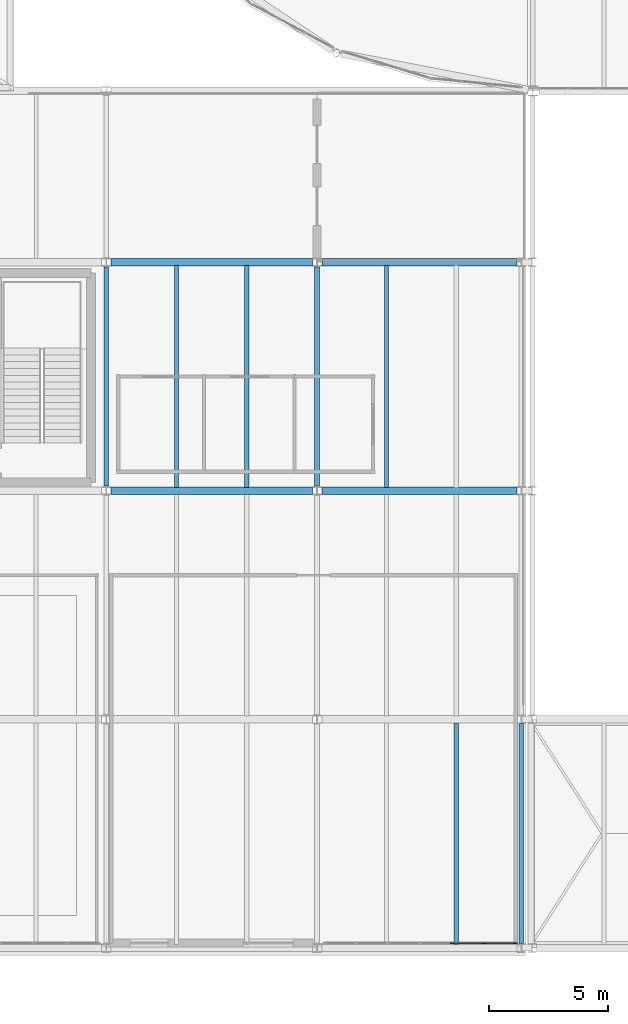
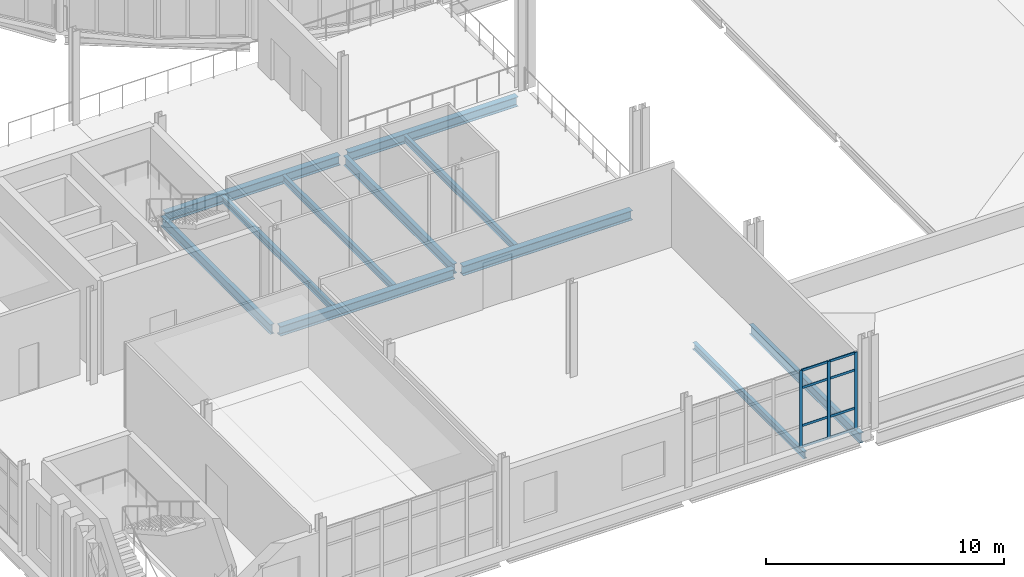
# One storey, part 22 of 112: 11 beams, 11 members, 1 element without a shape of its own.
"""IFC4 building model written with IfcOpenShell, lengths in metres."""

from ifc_helpers import new_model, si_unit, direction, frame, origin, origin_2d, place, context, subcontext, project, spatial, rectangle, i_section, extrude, material, layer, layer_set, material_profile, profile_set, type_object, element, aggregate, save


model = new_model("IFC4")

# Units and contexts
model_context = context("Model", 3, precision=1e-05, world=origin(), true_north=direction((0.0, 1.0)))
body_context = subcontext(model_context, "Body", "Model", "MODEL_VIEW")
ifc_project = project(units=[si_unit("LENGTHUNIT", "METRE"), si_unit("AREAUNIT", "SQUARE_METRE"), si_unit("VOLUMEUNIT", "CUBIC_METRE"), si_unit("PLANEANGLEUNIT", "RADIAN"), si_unit("MASSUNIT", "GRAM", prefix="KILO")], contexts=[model_context])

# Site, building, storey
site_placement = place(None, origin())
site = spatial("IfcSite", under=ifc_project, at=site_placement, CompositionType="ELEMENT")
building_placement = place(site_placement, origin())
building = spatial("IfcBuilding", under=site, at=building_placement, Name="Yeouljin Market Hall", CompositionType="ELEMENT")
storey_placement = place(building_placement, frame((0.0, 0.0, 6.0)))
storey = spatial("IfcBuildingStorey", under=building, at=storey_placement, Name="L01", CompositionType="ELEMENT", Elevation=6.0)

# Beams
ifc_material_1 = material(Name="Steel SM355", Category="steel")
ifc_material_profile_1 = material_profile(ifc_material_1, i_section(OverallWidth=0.199951171875, OverallDepth=0.5, WebThickness=0.010009765625, FlangeThickness=0.01611328125, FilletRadius=0.02001953125, at=origin_2d()), Name="H-500x200x10x16")
ifc_profile_set_1 = profile_set([ifc_material_profile_1], Name="Steel SM355")
beam_type_1 = type_object("IfcBeamType", Name="Beam_H-500x200x10x16", PredefinedType="BEAM", material=ifc_profile_set_1)
for number, where, z_axis, x_axis, name in (
    (1, (17.699951171875, 19.39990234375, -0.514892578125), (0.0, 1.0, 0.0), (-1.0, 0.0, 0.0), "Primary beam BM-L01-Y138"),
    (2, (26.550048828125, 19.39990234375, -0.514892578125), (0.0, 1.0, 0.0), (-1.0, 0.0, 0.0), "Primary beam BM-L01-Y143"),
):
    element("IfcBeam", number, at=place(storey_placement, frame(where, z_axis=z_axis, x_axis=x_axis)), inside=storey, type_object=beam_type_1, Name=name, PredefinedType="BEAM", context=body_context, shape_type="SweptSolid", body=[
        extrude(i_section(OverallWidth=0.199951171875, OverallDepth=0.5, WebThickness=0.010009765625, FlangeThickness=0.01611328125, FilletRadius=0.02001953125, at=origin_2d()), origin(), (0.0, 0.0, 1.0), 9.2001953125),
    ])
beam_1_placement = place(storey_placement, frame((35.1298828125, 0.175048828125, -0.530029296875), z_axis=(0.0, 1.0, 0.0), x_axis=(-1.0, 0.0, 0.0)))
element("IfcBeam", 3, at=beam_1_placement, inside=storey, type_object=beam_type_1, Name="Primary beam BM-L01-Y144", PredefinedType="BEAM", context=body_context, shape_type="SweptSolid", body=[
    extrude(i_section(OverallWidth=0.199951171875, OverallDepth=0.5, WebThickness=0.010009765625, FlangeThickness=0.01611328125, FilletRadius=0.02001953125, at=origin_2d()), origin(), (0.0, 0.0, 1.0), 9.25),
])

# Curtain wall, members
ifc_material_2 = material(Name="Thermally Broken Aluminium", Category="aluminium")
ifc_layer = layer(ifc_material_2, 0.14990234375)
ifc_layer_set = layer_set([ifc_layer], Name="Thermally Broken Aluminium")
curtain_wall_type = type_object("IfcCurtainWallType", Name="CW_AcademyRibbon_System", PredefinedType="USERDEFINED", material=ifc_layer_set)
curtain_wall_placement = place(storey_placement, origin())
curtain_wall = element("IfcCurtainWall", 4, at=curtain_wall_placement, inside=storey, type_object=curtain_wall_type, Name="Curtain wall CW-L01-W01", ObjectType="CURTAIN WALL", PredefinedType="USERDEFINED")
ifc_material_3 = material(Name="Thermally Broken Aluminium", Category="aluminium")
ifc_material_profile_2 = material_profile(ifc_material_3, rectangle(XDim=0.048095703125, YDim=0.14990234375, at=origin_2d()), Name="CW-MULL-48x150")
ifc_profile_set_2 = profile_set([ifc_material_profile_2], Name="Thermally Broken Aluminium")
member_type_1 = type_object("IfcMemberType", Name="CWMullion_48x150", PredefinedType="MULLION", material=ifc_profile_set_2)
member_1_placement = place(storey_placement, frame((34.8759765625, 0.199951171875, 0.0), z_axis=(0.0, 0.0, 1.0), x_axis=(0.0, -1.0, 0.0)))
member_1 = element("IfcMember", 5, at=member_1_placement, type_object=member_type_1, Name="CW-05 mullion 1", PredefinedType="MULLION", context=body_context, shape_type="SweptSolid", body=[
    extrude(rectangle(XDim=0.048095703125, YDim=0.14990234375, at=origin_2d()), origin(), (0.0, 0.0, 1.0), 3.949951171875),
])
member_2_placement = place(storey_placement, frame((33.558349609375, 0.199951171875, 0.0), z_axis=(0.0, 0.0, 1.0), x_axis=(0.0, -1.0, 0.0)))
member_2 = element("IfcMember", 6, at=member_2_placement, type_object=member_type_1, Name="CW-05 mullion 2", PredefinedType="MULLION", context=body_context, shape_type="SweptSolid", body=[
    extrude(rectangle(XDim=0.048095703125, YDim=0.14990234375, at=origin_2d()), origin(), (0.0, 0.0, 1.0), 3.949951171875),
])
member_3_placement = place(storey_placement, frame((32.216552734375, 0.199951171875, 0.0), z_axis=(0.0, 0.0, 1.0), x_axis=(0.0, -1.0, 0.0)))
member_3 = element("IfcMember", 7, at=member_3_placement, type_object=member_type_1, Name="CW-05 mullion 3", PredefinedType="MULLION", context=body_context, shape_type="SweptSolid", body=[
    extrude(rectangle(XDim=0.048095703125, YDim=0.14990234375, at=origin_2d()), origin(), (0.0, 0.0, 1.0), 3.949951171875),
])
ifc_material_4 = material(Name="Thermally Broken Aluminium", Category="aluminium")
ifc_material_profile_3 = material_profile(ifc_material_4, rectangle(XDim=0.048095703125, YDim=0.1201171875, at=origin_2d()), Name="CW-TRAN-48x120")
ifc_profile_set_3 = profile_set([ifc_material_profile_3], Name="Thermally Broken Aluminium")
member_type_2 = type_object("IfcMemberType", Name="CWTransom_48x120", PredefinedType="USERDEFINED", material=ifc_profile_set_3)
member_4_placement = place(storey_placement, frame((34.85205078125, 0.199951171875, 0.02392578125), z_axis=(-1.0, 0.0, 0.0), x_axis=(0.0, -1.0, 0.0)))
member_4 = element("IfcMember", 8, at=member_4_placement, type_object=member_type_2, Name="CW-05 transom 1.1", ObjectType="TRANSOM", PredefinedType="USERDEFINED", context=body_context, shape_type="SweptSolid", body=[
    extrude(rectangle(XDim=0.048095703125, YDim=0.1201171875, at=origin_2d()), origin(), (0.0, 0.0, 1.0), 1.269775390625),
])
member_5_placement = place(storey_placement, frame((34.85205078125, 0.199951171875, 1.10009765625), z_axis=(-1.0, 0.0, 0.0), x_axis=(0.0, -1.0, 0.0)))
member_5 = element("IfcMember", 9, at=member_5_placement, type_object=member_type_2, Name="CW-05 transom 1.2", ObjectType="TRANSOM", PredefinedType="USERDEFINED", context=body_context, shape_type="SweptSolid", body=[
    extrude(rectangle(XDim=0.048095703125, YDim=0.1201171875, at=origin_2d()), origin(), (0.0, 0.0, 1.0), 1.269775390625),
])
member_6_placement = place(storey_placement, frame((34.85205078125, 0.199951171875, 3.050048828125), z_axis=(-1.0, 0.0, 0.0), x_axis=(0.0, -1.0, 0.0)))
member_6 = element("IfcMember", 10, at=member_6_placement, type_object=member_type_2, Name="CW-05 transom 1.3", ObjectType="TRANSOM", PredefinedType="USERDEFINED", context=body_context, shape_type="SweptSolid", body=[
    extrude(rectangle(XDim=0.048095703125, YDim=0.1201171875, at=origin_2d()), origin(), (0.0, 0.0, 1.0), 1.269775390625),
])
member_7_placement = place(storey_placement, frame((34.85205078125, 0.199951171875, 3.926025390625), z_axis=(-1.0, 0.0, 0.0), x_axis=(0.0, -1.0, 0.0)))
member_7 = element("IfcMember", 11, at=member_7_placement, type_object=member_type_2, Name="CW-05 transom 1.4", ObjectType="TRANSOM", PredefinedType="USERDEFINED", context=body_context, shape_type="SweptSolid", body=[
    extrude(rectangle(XDim=0.048095703125, YDim=0.1201171875, at=origin_2d()), origin(), (0.0, 0.0, 1.0), 1.269775390625),
])
member_8_placement = place(storey_placement, frame((33.534423828125, 0.199951171875, 0.02392578125), z_axis=(-1.0, 0.0, 0.0), x_axis=(0.0, -1.0, 0.0)))
member_8 = element("IfcMember", 12, at=member_8_placement, type_object=member_type_2, Name="CW-05 transom 2.1", ObjectType="TRANSOM", PredefinedType="USERDEFINED", context=body_context, shape_type="SweptSolid", body=[
    extrude(rectangle(XDim=0.048095703125, YDim=0.1201171875, at=origin_2d()), origin(), (0.0, 0.0, 1.0), 1.293701171875),
])
member_9_placement = place(storey_placement, frame((33.534423828125, 0.199951171875, 1.10009765625), z_axis=(-1.0, 0.0, 0.0), x_axis=(0.0, -1.0, 0.0)))
member_9 = element("IfcMember", 13, at=member_9_placement, type_object=member_type_2, Name="CW-05 transom 2.2", ObjectType="TRANSOM", PredefinedType="USERDEFINED", context=body_context, shape_type="SweptSolid", body=[
    extrude(rectangle(XDim=0.048095703125, YDim=0.1201171875, at=origin_2d()), origin(), (0.0, 0.0, 1.0), 1.293701171875),
])
member_10_placement = place(storey_placement, frame((33.534423828125, 0.199951171875, 3.050048828125), z_axis=(-1.0, 0.0, 0.0), x_axis=(0.0, -1.0, 0.0)))
member_10 = element("IfcMember", 14, at=member_10_placement, type_object=member_type_2, Name="CW-05 transom 2.3", ObjectType="TRANSOM", PredefinedType="USERDEFINED", context=body_context, shape_type="SweptSolid", body=[
    extrude(rectangle(XDim=0.048095703125, YDim=0.1201171875, at=origin_2d()), origin(), (0.0, 0.0, 1.0), 1.293701171875),
])
member_11_placement = place(storey_placement, frame((33.534423828125, 0.199951171875, 3.926025390625), z_axis=(-1.0, 0.0, 0.0), x_axis=(0.0, -1.0, 0.0)))
member_11 = element("IfcMember", 15, at=member_11_placement, type_object=member_type_2, Name="CW-05 transom 2.4", ObjectType="TRANSOM", PredefinedType="USERDEFINED", context=body_context, shape_type="SweptSolid", body=[
    extrude(rectangle(XDim=0.048095703125, YDim=0.1201171875, at=origin_2d()), origin(), (0.0, 0.0, 1.0), 1.293701171875),
])
aggregate(curtain_wall, [member_1, member_2, member_3, member_4, member_5, member_6, member_7, member_8, member_9, member_10, member_11])

# Beams
ifc_material_5 = material(Name="Steel SM355", Category="steel")
ifc_material_profile_4 = material_profile(ifc_material_5, i_section(OverallWidth=0.300048828125, OverallDepth=0.488037109375, WebThickness=0.010986328125, FlangeThickness=0.01806640625, FilletRadius=0.02197265625, at=origin_2d()), Name="H-488x300x11x18")
ifc_profile_set_4 = profile_set([ifc_material_profile_4], Name="Steel SM355")
beam_type_2 = type_object("IfcBeamType", Name="Girder_H-488x300x11x18", PredefinedType="USERDEFINED", material=ifc_profile_set_4)
beam_2_placement = place(storey_placement, frame((17.89990234375, 19.199951171875, -0.509033203125), z_axis=(1.0, 0.0, 0.0), x_axis=(0.0, 1.0, 0.0)))
element("IfcBeam", 16, at=beam_2_placement, inside=storey, type_object=beam_type_2, Name="Primary girder GRD-L01-X031", ObjectType="GIRDER", PredefinedType="USERDEFINED", context=body_context, shape_type="SweptSolid", body=[
    extrude(i_section(OverallWidth=0.300048828125, OverallDepth=0.488037109375, WebThickness=0.010986328125, FlangeThickness=0.01806640625, FilletRadius=0.02197265625, at=origin_2d()), origin(), (0.0, 0.0, 1.0), 8.4501953125),
])
beam_3_placement = place(storey_placement, frame((26.75, 19.199951171875, -0.509033203125), z_axis=(1.0, 0.0, 0.0), x_axis=(0.0, 1.0, 0.0)))
element("IfcBeam", 17, at=beam_3_placement, inside=storey, type_object=beam_type_2, Name="Primary girder GRD-L01-X032", ObjectType="GIRDER", PredefinedType="USERDEFINED", context=body_context, shape_type="SweptSolid", body=[
    extrude(i_section(OverallWidth=0.300048828125, OverallDepth=0.488037109375, WebThickness=0.010986328125, FlangeThickness=0.01806640625, FilletRadius=0.02197265625, at=origin_2d()), origin(), (0.0, 0.0, 1.0), 8.205078125),
])
beam_4_placement = place(storey_placement, frame((17.89990234375, 28.800048828125, -0.509033203125), z_axis=(1.0, 0.0, 0.0), x_axis=(0.0, 1.0, 0.0)))
element("IfcBeam", 18, at=beam_4_placement, inside=storey, type_object=beam_type_2, Name="Primary girder GRD-L01-X039", ObjectType="GIRDER", PredefinedType="USERDEFINED", context=body_context, shape_type="SweptSolid", body=[
    extrude(i_section(OverallWidth=0.300048828125, OverallDepth=0.488037109375, WebThickness=0.010986328125, FlangeThickness=0.01806640625, FilletRadius=0.02197265625, at=origin_2d()), origin(), (0.0, 0.0, 1.0), 8.4501953125),
])
beam_5_placement = place(storey_placement, frame((26.75, 28.800048828125, -0.509033203125), z_axis=(1.0, 0.0, 0.0), x_axis=(0.0, 1.0, 0.0)))
element("IfcBeam", 19, at=beam_5_placement, inside=storey, type_object=beam_type_2, Name="Primary girder GRD-L01-X040", ObjectType="GIRDER", PredefinedType="USERDEFINED", context=body_context, shape_type="SweptSolid", body=[
    extrude(i_section(OverallWidth=0.300048828125, OverallDepth=0.488037109375, WebThickness=0.010986328125, FlangeThickness=0.01806640625, FilletRadius=0.02197265625, at=origin_2d()), origin(), (0.0, 0.0, 1.0), 8.205078125),
])
ifc_material_6 = material(Name="Steel SM355", Category="steel")
ifc_material_profile_5 = material_profile(ifc_material_6, i_section(OverallWidth=0.175048828125, OverallDepth=0.35009765625, WebThickness=0.007080078125, FlangeThickness=0.010986328125, FilletRadius=0.013916015625, at=origin_2d()), Name="H-350x175x7x11")
ifc_profile_set_5 = profile_set([ifc_material_profile_5], Name="Steel SM355")
beam_type_3 = type_object("IfcBeamType", Name="Joist_H-350x175x7x11", PredefinedType="JOIST", material=ifc_profile_set_5)
for number, where, z_axis, x_axis, name in (
    (20, (20.64990234375, 19.346923828125, -0.43994140625), (0.0, 1.0, 0.0), (-1.0, 0.0, 0.0), "Secondary floor joist L01-018"),
    (21, (23.60009765625, 19.346923828125, -0.43994140625), (0.0, 1.0, 0.0), (-1.0, 0.0, 0.0), "Secondary floor joist L01-019"),
):
    element("IfcBeam", number, at=place(storey_placement, frame(where, z_axis=z_axis, x_axis=x_axis)), inside=storey, type_object=beam_type_3, Name=name, PredefinedType="JOIST", context=body_context, shape_type="SweptSolid", body=[
        extrude(i_section(OverallWidth=0.175048828125, OverallDepth=0.35009765625, WebThickness=0.007080078125, FlangeThickness=0.010986328125, FilletRadius=0.013916015625, at=origin_2d()), origin(), (0.0, 0.0, 1.0), 9.30615234375),
    ])
beam_6_placement = place(storey_placement, frame((32.396728515625, 0.14697265625, -0.43994140625), z_axis=(0.0, 1.0, 0.0), x_axis=(-1.0, 0.0, 0.0)))
element("IfcBeam", 22, at=beam_6_placement, inside=storey, type_object=beam_type_3, Name="Secondary floor joist L01-021", PredefinedType="JOIST", context=body_context, shape_type="SweptSolid", body=[
    extrude(i_section(OverallWidth=0.175048828125, OverallDepth=0.35009765625, WebThickness=0.007080078125, FlangeThickness=0.010986328125, FilletRadius=0.013916015625, at=origin_2d()), origin(), (0.0, 0.0, 1.0), 9.305908203125),
])
beam_7_placement = place(storey_placement, frame((29.473388671875, 19.346923828125, -0.43994140625), z_axis=(0.0, 1.0, 0.0), x_axis=(-1.0, 0.0, 0.0)))
element("IfcBeam", 23, at=beam_7_placement, inside=storey, type_object=beam_type_3, Name="Secondary floor joist L01-024", PredefinedType="JOIST", context=body_context, shape_type="SweptSolid", body=[
    extrude(i_section(OverallWidth=0.175048828125, OverallDepth=0.35009765625, WebThickness=0.007080078125, FlangeThickness=0.010986328125, FilletRadius=0.013916015625, at=origin_2d()), origin(), (0.0, 0.0, 1.0), 9.30615234375),
])

save(model, "model.ifc")
